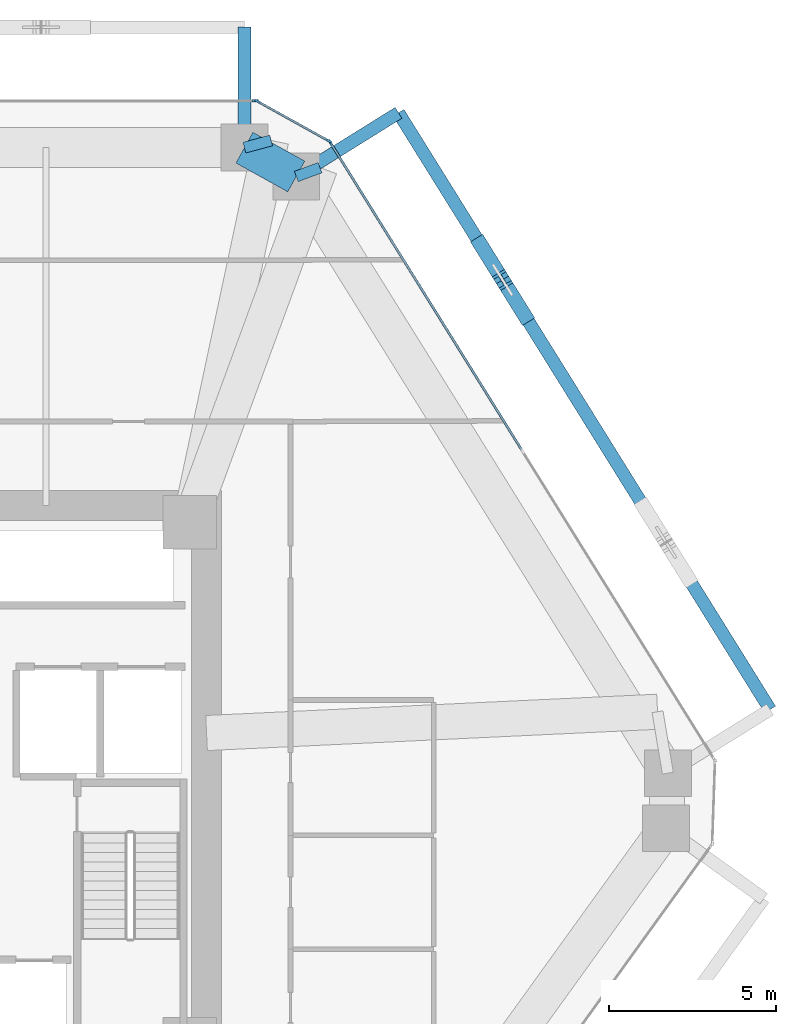
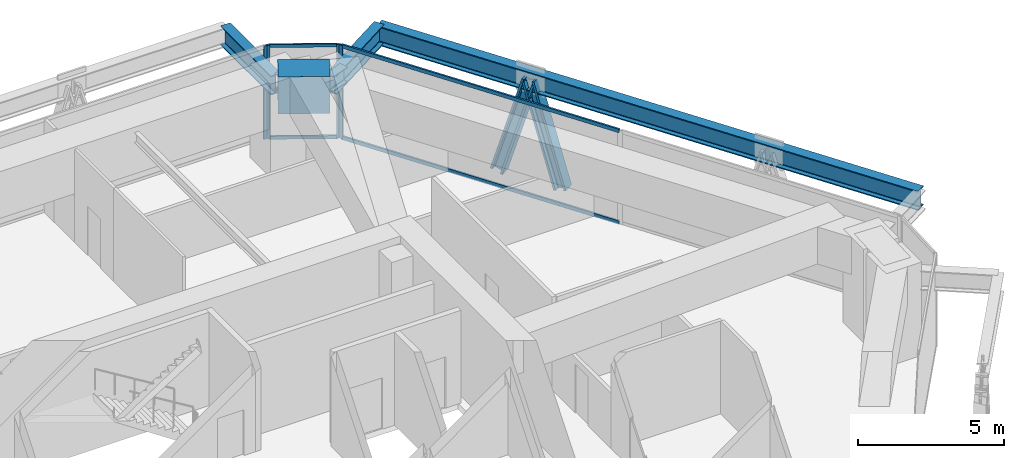
# One storey, part 9 of 16: 10 members, 6 beams, 3 elements without a shape of their own.
"""IFC4 building model written with IfcOpenShell, lengths in metres."""

from ifc_helpers import new_model, si_unit, direction, frame, origin, origin_2d, place, context, subcontext, project, spatial, rectangle, i_section, extrude, source, transform, mapped, material, layer, layer_set, material_profile, profile_set, type_object, type_shapes, element, aggregate, save


model = new_model("IFC4")

# Units and contexts
model_context = context("Model", 3, precision=1e-05, world=origin(), true_north=direction((0.0, 1.0)))
body_context = subcontext(model_context, "Body", "Model", "MODEL_VIEW")
ifc_project = project(units=[si_unit("LENGTHUNIT", "METRE"), si_unit("AREAUNIT", "SQUARE_METRE"), si_unit("VOLUMEUNIT", "CUBIC_METRE"), si_unit("PLANEANGLEUNIT", "RADIAN"), si_unit("MASSUNIT", "GRAM", prefix="KILO")], contexts=[model_context])

# Site, building, storey
site_placement = place(None, origin())
site = spatial("IfcSite", under=ifc_project, at=site_placement, CompositionType="ELEMENT")
building_placement = place(site_placement, origin())
building = spatial("IfcBuilding", under=site, at=building_placement, Name="Durnholm Broadcast Tower", CompositionType="ELEMENT")
storey_placement = place(building_placement, frame((0.0, 0.0, 84.300048828125)))
storey = spatial("IfcBuildingStorey", under=building, at=storey_placement, Name="L22", CompositionType="ELEMENT", Elevation=84.300048828125)

# Beams
ifc_material_1 = material(Name="Steel ASTM A992 Grade 50", Category="steel")
ifc_material_profile_1 = material_profile(ifc_material_1, i_section(OverallWidth=0.385009765625, OverallDepth=0.802978515625, WebThickness=0.023681640625, FlangeThickness=0.0419921875, FilletRadius=0.032958984375, at=origin_2d()), Name="W30X261")
ifc_profile_set_1 = profile_set([ifc_material_profile_1], Name="Steel ASTM A992 Grade 50")
beam_type_1 = type_object("IfcBeamType", Name="BM-EXO-TIE", PredefinedType="USERDEFINED", material=ifc_profile_set_1)
shared_shape_1 = source(origin(), body_context, "Body", "SweptSolid", [
    extrude(i_section(OverallWidth=0.385009765625, OverallDepth=0.802978515625, WebThickness=0.023681640625, FlangeThickness=0.0419921875, FilletRadius=0.032958984375, at=origin_2d()), origin(), (0.0, 0.0, 1.0), 3.4560546875),
])
for number, where, z_axis, x_axis, name in (
    (1, (13.10498046875, 18.214599609375, 3.1484375), (0.848854443891, 0.528626648105, 0.0), (-0.528626648105, 0.848854443891, 0.0), "L22 exoskeleton stand-off tie bracket F3.2"),
    (2, (11.43115234375, 19.14404296875, 3.1484375), (0.0, 1.0, 0.0), (-1.0, 0.0, 0.0), "L22 exoskeleton stand-off tie bracket F4.1"),
):
    element("IfcBeam", number, at=place(storey_placement, frame(where, z_axis=z_axis, x_axis=x_axis)), inside=storey, type_object=beam_type_1, Name=name, ObjectType="GIRDER", PredefinedType="USERDEFINED", context=body_context, shape_type="MappedRepresentation", body=[
        mapped(shared_shape_1, transform((0.0, 0.0, 0.0), x_axis=(1.0, 0.0, 0.0), y_axis=(0.0, 1.0, 0.0), z_axis=(0.0, 0.0, 1.0), scale=1.0)),
    ])
shared_shape_2 = source(origin(), body_context, "Body", "SweptSolid", [
    extrude(i_section(OverallWidth=0.385009765625, OverallDepth=0.802978515625, WebThickness=0.023681640625, FlangeThickness=0.0419921875, FilletRadius=0.032958984375, at=origin_2d()), origin(), (0.0, 0.0, 1.0), 21.0146484375),
])
type_shapes(beam_type_1, [shared_shape_1, shared_shape_2])
beam_1_placement = place(storey_placement, frame((27.146728515625, 2.20263671875, 3.1484375), z_axis=(-0.528590518575, 0.848876942597, 0.0), x_axis=(-0.848876942597, -0.528590518575, 0.0)))
element("IfcBeam", 3, at=beam_1_placement, inside=storey, type_object=beam_type_1, Name="L22 exoskeleton collector spandrel F3", PredefinedType="SPANDREL", context=body_context, shape_type="MappedRepresentation", body=[
    mapped(shared_shape_2, transform((0.0, 0.0, 0.0), x_axis=(1.0, 0.0, 0.0), y_axis=(0.0, 1.0, 0.0), z_axis=(0.0, 0.0, 1.0), scale=1.0)),
])
ifc_material_2 = material(Name="Concrete C70/85", Category="concrete")
ifc_material_profile_2 = material_profile(ifc_material_2, rectangle(XDim=1.050048828125, YDim=1.550048828125, at=origin_2d()), Name="RC1050X1550")
ifc_profile_set_2 = profile_set([ifc_material_profile_2], Name="Concrete C70/85")
beam_type_2 = type_object("IfcBeamType", Name="BM-TG-RC1550", PredefinedType="USERDEFINED", material=ifc_profile_set_2)
shared_shape_3 = source(origin(), body_context, "Body", "SweptSolid", [
    extrude(rectangle(XDim=1.050048828125, YDim=1.550048828125, at=origin_2d()), origin(), (0.0, 0.0, 1.0), 1.774658203125),
])
type_shapes(beam_type_2, [shared_shape_3])
beam_2_placement = place(storey_placement, frame((11.43115234375, 19.0, 3.125), z_axis=(0.874248107979, -0.485479397806, 0.0), x_axis=(0.485479397806, 0.874248107979, 0.0)))
element("IfcBeam", 4, at=beam_2_placement, inside=storey, type_object=beam_type_2, Name="L22 perimeter transfer spandrel girder 06", PredefinedType="SPANDREL", context=body_context, shape_type="MappedRepresentation", body=[
    mapped(shared_shape_3, transform((0.0, 0.0, 0.0), x_axis=(1.0, 0.0, 0.0), y_axis=(0.0, 1.0, 0.0), z_axis=(0.0, 0.0, 1.0), scale=1.0)),
])
ifc_material_profile_3 = material_profile(ifc_material_1, i_section(OverallWidth=0.3291015625, OverallDepth=0.635009765625, WebThickness=0.017822265625, FlangeThickness=0.031005859375, FilletRadius=0.02783203125, at=origin_2d()), Name="W24X162")
ifc_profile_set_3 = profile_set([ifc_material_profile_3], Name="Steel ASTM A992 Grade 50")
beam_type_3 = type_object("IfcBeamType", Name="STL-SP-W24X162", PredefinedType="SPANDREL", material=ifc_profile_set_3)
shared_shape_4 = source(origin(), body_context, "Body", "SweptSolid", [
    extrude(i_section(OverallWidth=0.3291015625, OverallDepth=0.635009765625, WebThickness=0.017822265625, FlangeThickness=0.031005859375, FilletRadius=0.02783203125, at=origin_2d()), origin(), (0.0, 0.0, 1.0), 0.827392578125),
])
beam_3_placement = place(storey_placement, frame((11.43115234375, 19.0, 3.280029296875), z_axis=(0.965610059553, 0.259994640118, 0.0), x_axis=(-0.259994640118, 0.965610059553, 0.0)))
element("IfcBeam", 5, at=beam_3_placement, inside=storey, type_object=beam_type_3, Name="L22 perimeter column collector tie 06", ObjectType="GIRDER", PredefinedType="USERDEFINED", context=body_context, shape_type="MappedRepresentation", body=[
    mapped(shared_shape_4, transform((0.0, 0.0, 0.0), x_axis=(1.0, 0.0, 0.0), y_axis=(0.0, 1.0, 0.0), z_axis=(0.0, 0.0, 1.0), scale=1.0)),
])
shared_shape_5 = source(origin(), body_context, "Body", "SweptSolid", [
    extrude(i_section(OverallWidth=0.3291015625, OverallDepth=0.635009765625, WebThickness=0.017822265625, FlangeThickness=0.031005859375, FilletRadius=0.02783203125, at=origin_2d()), origin(), (0.0, 0.0, 1.0), 0.756591796875),
])
type_shapes(beam_type_3, [shared_shape_4, shared_shape_5])
beam_4_placement = place(storey_placement, frame((12.982666015625, 18.138427734375, 3.280029296875), z_axis=(0.937674786482, 0.347514021005, 0.0), x_axis=(-0.347514021005, 0.937674786482, 0.0)))
element("IfcBeam", 6, at=beam_4_placement, inside=storey, type_object=beam_type_3, Name="L22 perimeter column collector tie 07", ObjectType="GIRDER", PredefinedType="USERDEFINED", context=body_context, shape_type="MappedRepresentation", body=[
    mapped(shared_shape_5, transform((0.0, 0.0, 0.0), x_axis=(1.0, 0.0, 0.0), y_axis=(0.0, 1.0, 0.0), z_axis=(0.0, 0.0, 1.0), scale=1.0)),
])

# Members
ifc_material_3 = material(Name="Steel ASTM A913 Grade 65", Category="steel")
ifc_material_profile_4 = material_profile(ifc_material_3, i_section(OverallWidth=0.43212890625, OverallDepth=0.497802734375, WebThickness=0.0556640625, FlangeThickness=0.0888671875, FilletRadius=0.030517578125, at=origin_2d()), Name="W14X500")
ifc_profile_set_4 = profile_set([ifc_material_profile_4], Name="Steel ASTM A913 Grade 65")
member_type_1 = type_object("IfcMemberType", Name="STL-DG-W14X500", PredefinedType="BRACE", material=ifc_profile_set_4)
shared_shape_6 = source(origin(), body_context, "Body", "SweptSolid", [
    extrude(i_section(OverallWidth=0.43212890625, OverallDepth=0.497802734375, WebThickness=0.0556640625, FlangeThickness=0.0888671875, FilletRadius=0.030517578125, at=origin_2d()), origin(), (0.0, 0.0, 1.0), 4.31982421875),
])
type_shapes(member_type_1, [shared_shape_6])
for number, where, z_axis, x_axis, name in (
    (7, (19.801025390625, 13.9990234375, -0.991455078125), (-0.150954992472, 0.242454855, 0.958346614506), (-0.848908635391, -0.528539618911, 0.0), "L22 stand-off diagrid brace F3.D2.1"),
    (8, (18.496826171875, 16.09375, -0.991455078125), (0.150954992472, -0.242454855, 0.958346614506), (0.848908635391, 0.528539618911, 0.0), "L22 stand-off diagrid brace F3.D2.2"),
):
    element("IfcMember", number, at=place(storey_placement, frame(where, z_axis=z_axis, x_axis=x_axis)), inside=storey, type_object=member_type_1, Name=name, PredefinedType="BRACE", context=body_context, shape_type="MappedRepresentation", body=[
        mapped(shared_shape_6, transform((0.0, 0.0, 0.0), x_axis=(1.0, 0.0, 0.0), y_axis=(0.0, 1.0, 0.0), z_axis=(0.0, 0.0, 1.0), scale=1.0)),
    ])

# Curtain wall, members
ifc_material_4 = material(Name="Aluminium and Solar Control IGU", Category="aluminium")
ifc_layer_1 = layer(ifc_material_4, 0.1650390625)
ifc_layer_set_1 = layer_set([ifc_layer_1], Name="Aluminium and Solar Control IGU")
curtain_wall_type_1 = type_object("IfcCurtainWallType", Name="CW-SYS-5", PredefinedType="NOTDEFINED", material=ifc_layer_set_1)
curtain_wall_1_placement = place(storey_placement, origin())
curtain_wall_1 = element("IfcCurtainWall", 9, at=curtain_wall_1_placement, inside=storey, type_object=curtain_wall_type_1, Name="L22 curtain wall CW-CORNER CW-L22-CRN-05", PredefinedType="NOTDEFINED")
ifc_material_5 = material(Name="Aluminium 6063-T6", Category="aluminium")
ifc_material_profile_5 = material_profile(ifc_material_5, rectangle(XDim=0.06494140625, YDim=0.1298828125, at=origin_2d()), Name="CWT65X130")
ifc_profile_set_5 = profile_set([ifc_material_profile_5], Name="Aluminium 6063-T6")
member_type_2 = type_object("IfcMemberType", Name="CW-SYS-5-TRN", PredefinedType="USERDEFINED", material=ifc_profile_set_5)
shared_shape_7 = source(origin(), body_context, "Body", "SweptSolid", [
    extrude(rectangle(XDim=0.06494140625, YDim=0.1298828125, at=origin_2d()), origin(), (0.0, 0.0, 1.0), 2.3701171875),
])
type_shapes(member_type_2, [shared_shape_7])
member_1_placement = place(storey_placement, frame((11.8505859375, 20.368408203125, 0.032470703125), z_axis=(0.874244723151, -0.485485493132, 0.0), x_axis=(0.485485493132, 0.874244723151, 0.0)))
member_1 = element("IfcMember", 10, at=member_1_placement, type_object=member_type_2, Name="CW-CORNER transom 1.1", ObjectType="TRANSOM", PredefinedType="USERDEFINED", context=body_context, shape_type="MappedRepresentation", body=[
    mapped(shared_shape_7, transform((0.0, 0.0, 0.0), x_axis=(1.0, 0.0, 0.0), y_axis=(0.0, 1.0, 0.0), z_axis=(0.0, 0.0, 1.0), scale=1.0)),
])
member_2_placement = place(storey_placement, frame((11.8505859375, 20.368408203125, 3.867431640625), z_axis=(0.874244723151, -0.485485493132, 0.0), x_axis=(0.485485493132, 0.874244723151, 0.0)))
member_2 = element("IfcMember", 11, at=member_2_placement, type_object=member_type_2, Name="CW-CORNER transom 1.2", ObjectType="TRANSOM", PredefinedType="USERDEFINED", context=body_context, shape_type="MappedRepresentation", body=[
    mapped(shared_shape_7, transform((0.0, 0.0, 0.0), x_axis=(1.0, 0.0, 0.0), y_axis=(0.0, 1.0, 0.0), z_axis=(0.0, 0.0, 1.0), scale=1.0)),
])

ifc_layer_2 = layer(ifc_material_4, 0.18994140625)
ifc_layer_set_2 = layer_set([ifc_layer_2], Name="Aluminium and Solar Control IGU")
curtain_wall_type_2 = type_object("IfcCurtainWallType", Name="CW-SYS-3", PredefinedType="NOTDEFINED", material=ifc_layer_set_2)
curtain_wall_2_placement = place(storey_placement, origin())
curtain_wall_2 = element("IfcCurtainWall", 12, at=curtain_wall_2_placement, inside=storey, type_object=curtain_wall_type_2, Name="L22 curtain wall CW-Z12-VIS CW-L22-F06", PredefinedType="NOTDEFINED")
ifc_material_profile_6 = material_profile(ifc_material_5, rectangle(XDim=0.070068359375, YDim=0.14990234375, at=origin_2d()), Name="CWT70X150")
ifc_profile_set_6 = profile_set([ifc_material_profile_6], Name="Aluminium 6063-T6")
member_type_3 = type_object("IfcMemberType", Name="CW-SYS-3-TRN", PredefinedType="USERDEFINED", material=ifc_profile_set_6)
shared_shape_8 = source(origin(), body_context, "Body", "SweptSolid", [
    extrude(rectangle(XDim=0.070068359375, YDim=0.14990234375, at=origin_2d()), origin(), (0.0, 0.0, 1.0), 10.796630859375),
])
type_shapes(member_type_3, [shared_shape_8])
member_3_placement = place(storey_placement, frame((14.016357421875, 19.126953125, 0.034912109375), z_axis=(0.528591657678, -0.848876233283, 0.0), x_axis=(0.848876233283, 0.528591657678, 0.0)))
member_3 = element("IfcMember", 13, at=member_3_placement, type_object=member_type_3, Name="CW-Z12-VIS transom 1.1", ObjectType="TRANSOM", PredefinedType="USERDEFINED", context=body_context, shape_type="MappedRepresentation", body=[
    mapped(shared_shape_8, transform((0.0, 0.0, 0.0), x_axis=(1.0, 0.0, 0.0), y_axis=(0.0, 1.0, 0.0), z_axis=(0.0, 0.0, 1.0), scale=1.0)),
])
member_4_placement = place(storey_placement, frame((14.016357421875, 19.126953125, 3.864990234375), z_axis=(0.528591657678, -0.848876233283, 0.0), x_axis=(0.848876233283, 0.528591657678, 0.0)))
member_4 = element("IfcMember", 14, at=member_4_placement, type_object=member_type_3, Name="CW-Z12-VIS transom 1.2", ObjectType="TRANSOM", PredefinedType="USERDEFINED", context=body_context, shape_type="MappedRepresentation", body=[
    mapped(shared_shape_8, transform((0.0, 0.0, 0.0), x_axis=(1.0, 0.0, 0.0), y_axis=(0.0, 1.0, 0.0), z_axis=(0.0, 0.0, 1.0), scale=1.0)),
])

# Member
ifc_material_profile_7 = material_profile(ifc_material_5, rectangle(XDim=0.06494140625, YDim=0.1650390625, at=origin_2d()), Name="CWM65X165")
ifc_profile_set_7 = profile_set([ifc_material_profile_7], Name="Aluminium 6063-T6")
member_type_4 = type_object("IfcMemberType", Name="CW-SYS-5-MUL", PredefinedType="MULLION", material=ifc_profile_set_7)
shared_shape_9 = source(origin(), body_context, "Body", "SweptSolid", [
    extrude(rectangle(XDim=0.06494140625, YDim=0.1650390625, at=origin_2d()), origin(), (0.0, 0.0, 1.0), 3.89990234375),
])
type_shapes(member_type_4, [shared_shape_9])
member_5_placement = place(storey_placement, frame((11.822265625, 20.38427734375, 0.0), z_axis=(0.0, 0.0, 1.0), x_axis=(0.485483299359, 0.874245941394, 0.0)))
member_5 = element("IfcMember", 15, at=member_5_placement, type_object=member_type_4, Name="CW-CORNER mullion 1", PredefinedType="MULLION", context=body_context, shape_type="MappedRepresentation", body=[
    mapped(shared_shape_9, transform((0.0, 0.0, 0.0), x_axis=(1.0, 0.0, 0.0), y_axis=(0.0, 1.0, 0.0), z_axis=(0.0, 0.0, 1.0), scale=1.0)),
])

member_6_placement = place(storey_placement, frame((13.950927734375, 19.2021484375, 0.0), z_axis=(0.0, 0.0, 1.0), x_axis=(0.485483299359, 0.874245941394, 0.0)))
member_6 = element("IfcMember", 16, at=member_6_placement, type_object=member_type_4, Name="CW-CORNER mullion 2", PredefinedType="MULLION", context=body_context, shape_type="MappedRepresentation", body=[
    mapped(shared_shape_9, transform((0.0, 0.0, 0.0), x_axis=(1.0, 0.0, 0.0), y_axis=(0.0, 1.0, 0.0), z_axis=(0.0, 0.0, 1.0), scale=1.0)),
])

aggregate(curtain_wall_1, [member_5, member_6, member_1, member_2])

# Curtain wall, member
curtain_wall_3_placement = place(storey_placement, origin())
curtain_wall_3 = element("IfcCurtainWall", 17, at=curtain_wall_3_placement, inside=storey, type_object=curtain_wall_type_2, Name="L22 curtain wall CW-Z12-VIS CW-L22-F04", PredefinedType="NOTDEFINED")
ifc_material_profile_8 = material_profile(ifc_material_5, rectangle(XDim=0.070068359375, YDim=0.18994140625, at=origin_2d()), Name="CWM70X190")
ifc_profile_set_8 = profile_set([ifc_material_profile_8], Name="Aluminium 6063-T6")
member_type_5 = type_object("IfcMemberType", Name="CW-SYS-3-MUL", PredefinedType="MULLION", material=ifc_profile_set_8)
shared_shape_10 = source(origin(), body_context, "Body", "SweptSolid", [
    extrude(rectangle(XDim=0.070068359375, YDim=0.18994140625, at=origin_2d()), origin(), (0.0, 0.0, 1.0), 3.89990234375),
])
type_shapes(member_type_5, [shared_shape_10])
member_7_placement = place(storey_placement, frame((11.7587890625, 20.39990234375, 0.0), z_axis=(0.0, 0.0, 1.0), x_axis=(0.0, 1.0, 0.0)))
member_7 = element("IfcMember", 18, at=member_7_placement, type_object=member_type_5, Name="CW-Z12-VIS mullion 3", PredefinedType="MULLION", context=body_context, shape_type="MappedRepresentation", body=[
    mapped(shared_shape_10, transform((0.0, 0.0, 0.0), x_axis=(1.0, 0.0, 0.0), y_axis=(0.0, 1.0, 0.0), z_axis=(0.0, 0.0, 1.0), scale=1.0)),
])
aggregate(curtain_wall_3, [member_7])

# Member
member_8_placement = place(storey_placement, frame((13.997802734375, 19.156494140625, 0.0), z_axis=(0.0, 0.0, 1.0), x_axis=(0.848875785503, 0.528592376777, 0.0)))
member_8 = element("IfcMember", 19, at=member_8_placement, type_object=member_type_5, Name="CW-Z12-VIS mullion 1", PredefinedType="MULLION", context=body_context, shape_type="MappedRepresentation", body=[
    mapped(shared_shape_10, transform((0.0, 0.0, 0.0), x_axis=(1.0, 0.0, 0.0), y_axis=(0.0, 1.0, 0.0), z_axis=(0.0, 0.0, 1.0), scale=1.0)),
])

aggregate(curtain_wall_2, [member_8, member_3, member_4])

save(model, "model.ifc")
